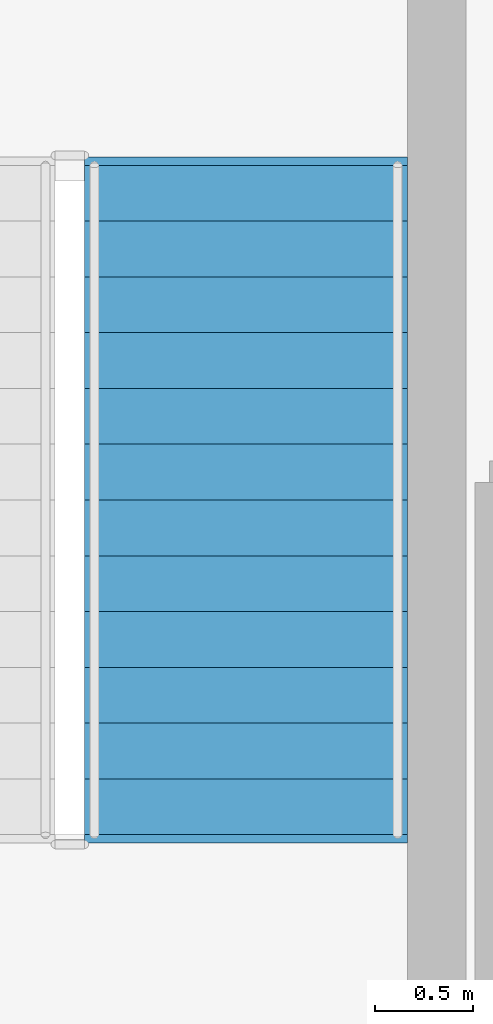
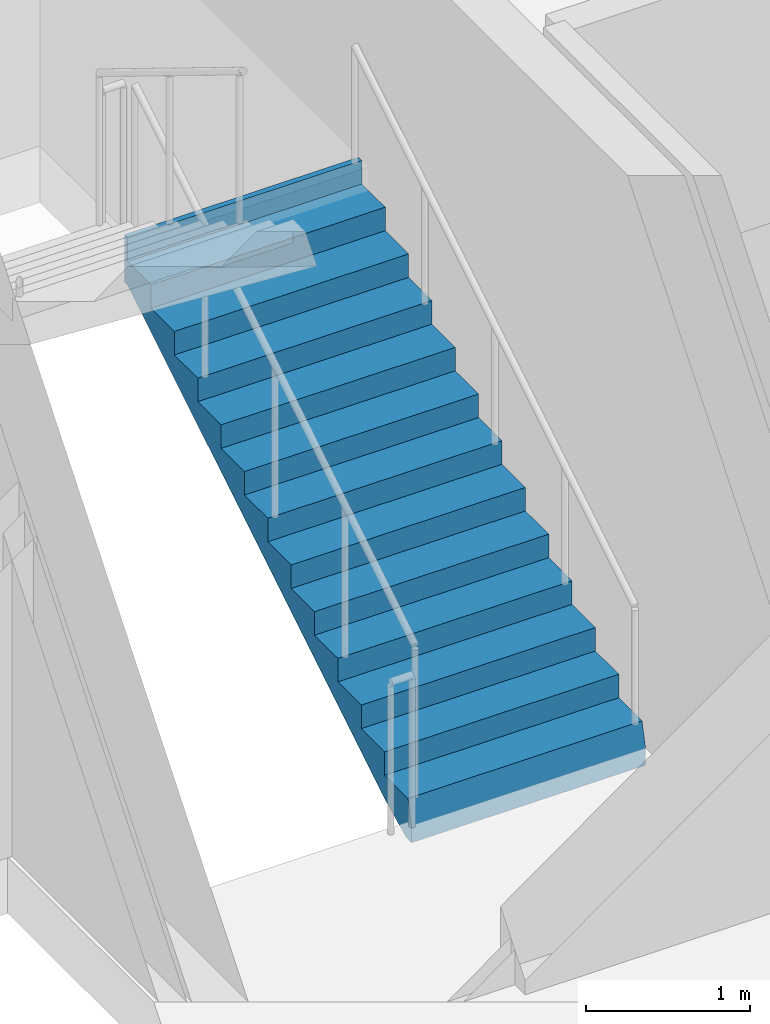
# One storey, part 12 of 16: 1 stair flight, 1 element without a shape of its own.
"""IFC4 building model written with IfcOpenShell, lengths in metres."""

from ifc_helpers import new_model, si_unit, direction, frame, origin, place, context, subcontext, project, spatial, polyline, outline, extrude, material, type_object, element, aggregate, save


model = new_model("IFC4")

# Units and contexts
model_context = context("Model", 3, precision=1e-05, world=origin(), true_north=direction((0.0, 1.0)))
body_context = subcontext(model_context, "Body", "Model", "MODEL_VIEW")
ifc_project = project(units=[si_unit("LENGTHUNIT", "METRE"), si_unit("AREAUNIT", "SQUARE_METRE"), si_unit("VOLUMEUNIT", "CUBIC_METRE"), si_unit("PLANEANGLEUNIT", "RADIAN"), si_unit("MASSUNIT", "GRAM", prefix="KILO")], contexts=[model_context])

# Site, building, storey
site_placement = place(None, origin())
site = spatial("IfcSite", under=ifc_project, at=site_placement, CompositionType="ELEMENT")
building_placement = place(site_placement, origin())
building = spatial("IfcBuilding", under=site, at=building_placement, Name="Nhamokura Convention Tower", CompositionType="ELEMENT")
storey_placement = place(building_placement, frame((0.0, 0.0, 106.050048828125)))
storey = spatial("IfcBuildingStorey", under=building, at=storey_placement, Name="L25", CompositionType="ELEMENT", Elevation=106.050048828125)

# Stair, stair flight
ifc_material_1 = material(Name="Concrete C40/50", Category="concrete")
stair_type = type_object("IfcStairType", Name="TowerCoreStair_1650", PredefinedType="HALF_TURN_STAIR", material=ifc_material_1)
stair_placement = place(storey_placement, origin())
stair = element("IfcStair", 1, at=stair_placement, inside=storey, type_object=stair_type, Name="L25 North Core Smokeproof Stair ST-03", PredefinedType="HALF_TURN_STAIR")
ifc_material_2 = material(Name="Concrete C40/50", Category="concrete")
stair_flight_type = type_object("IfcStairFlightType", Name="TowerCoreStair_1650_Flight", PredefinedType="STRAIGHT", material=ifc_material_2)
stair_flight_placement = place(storey_placement, frame((32.875, 35.14990234375, 0.0), z_axis=(0.0, 0.0, 1.0), x_axis=(0.0, 1.0, 0.0)))
stair_flight = element("IfcStairFlight", 2, at=stair_flight_placement, type_object=stair_flight_type, Name="ST-03 flight 1", NumberOfRisers=13, NumberOfTreads=12, PredefinedType="STRAIGHT", RiserHeight=0.175, TreadLength=0.285, context=body_context, shape_type="SweptSolid", body=[
    extrude(outline(polyline([(-0.0419921875, 0.0), (0.0, 0.175048828125), (0.284912109375, 0.175048828125), (0.284912109375, 0.35009765625), (0.570068359375, 0.35009765625), (0.570068359375, 0.52490234375), (0.85498046875, 0.52490234375), (0.85498046875, 0.699951171875), (1.139892578125, 0.699951171875), (1.139892578125, 0.875), (1.425048828125, 0.875), (1.425048828125, 1.050048828125), (1.7099609375, 1.050048828125), (1.7099609375, 1.22509765625), (1.9951171875, 1.22509765625), (1.9951171875, 1.39990234375), (2.280029296875, 1.39990234375), (2.280029296875, 1.574951171875), (2.56494140625, 1.574951171875), (2.56494140625, 1.75), (2.85009765625, 1.75), (2.85009765625, 1.925048828125), (3.135009765625, 1.925048828125), (3.135009765625, 2.10009765625), (3.419921875, 2.10009765625), (3.419921875, 2.27490234375), (3.4619140625, 2.27490234375), (3.4619140625, 1.924072265625), (3.419921875, 1.924072265625), (0.286376953125, 0.0), (0.02001953125, -0.1298828125), (-0.0419921875, -0.1298828125), (-0.0419921875, 0.0)])), frame((0.0, 0.824951171875, 0.0), z_axis=(0.0, -1.0, 0.0), x_axis=(1.0, 0.0, 0.0)), (0.0, 0.0, 1.0), 1.64990234375),
])
aggregate(stair, [stair_flight])

save(model, "model.ifc")
